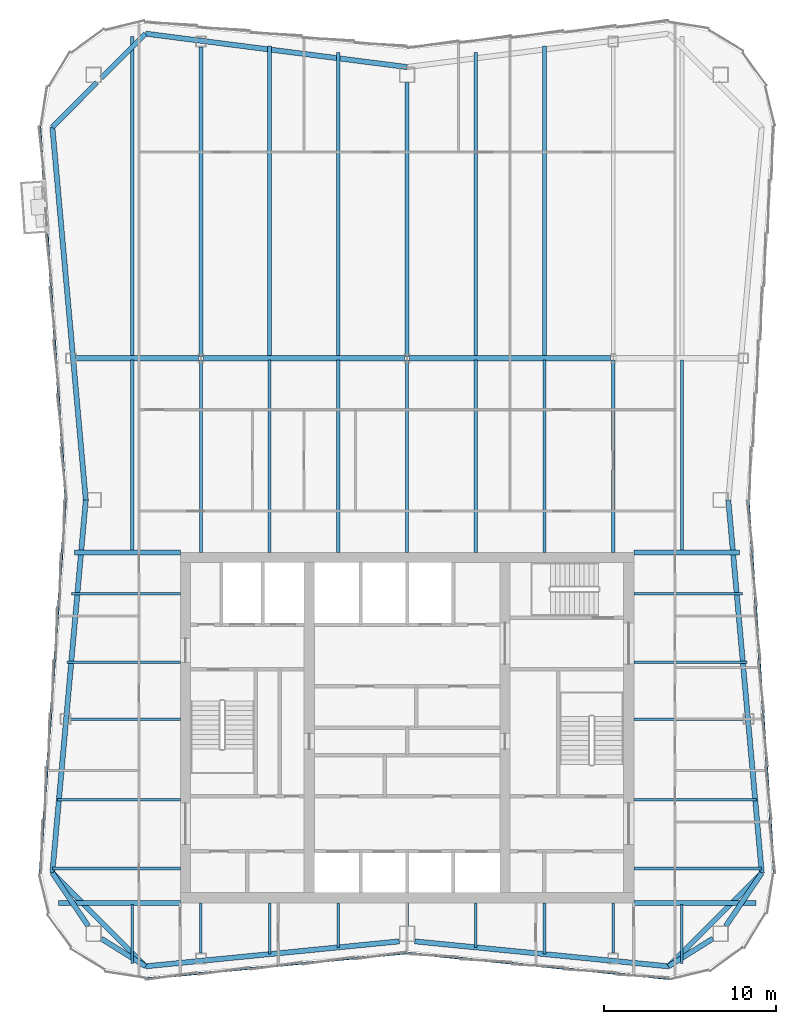
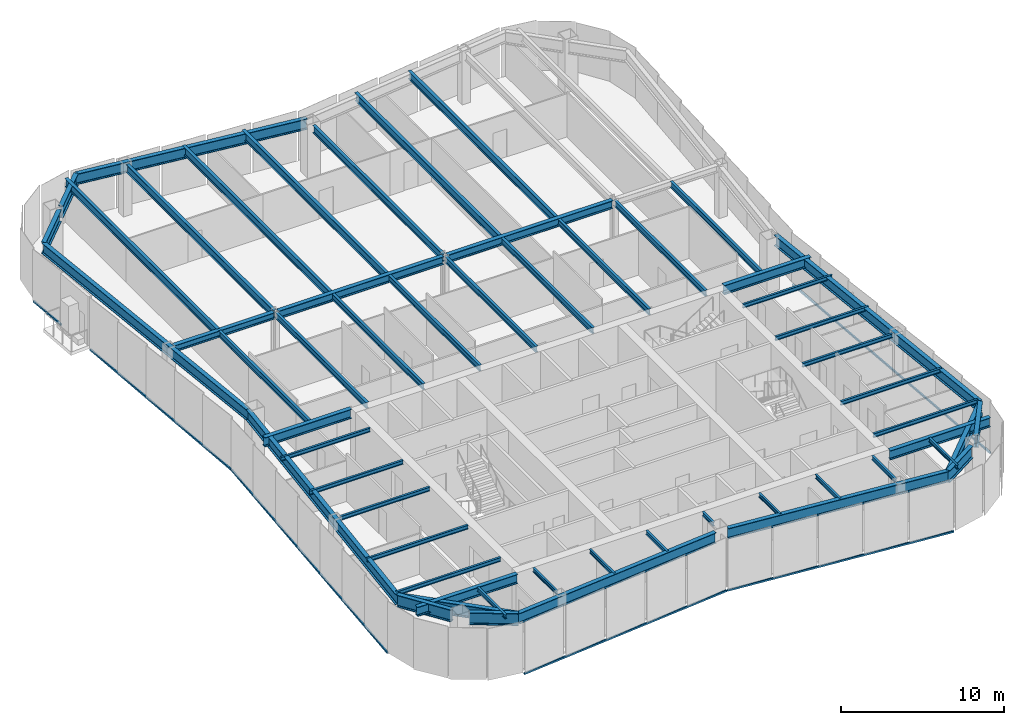
# One storey, part 3 of 11: 56 beams, 6 members, 3 elements without a shape of their own.
"""IFC4 building model written with IfcOpenShell, lengths in metres."""

import ifcopenshell
import ifcopenshell.guid

model = None  # the IFC model being written
_history = None  # IfcOwnerHistory: only IFC2X3 demands one
_inside = {}  # id of a spatial element -> (the spatial element, [elements in it])
_under = {}  # id of a project, library or spatial element -> (it, [spatial elements below it])
_declared = {}  # id of a project -> (the project, [libraries it declares])
_typed = {}  # id of a type object -> (the type object, [elements of that type])
_made_of = {}  # id of a material, layer set ... -> (it, [elements and type objects made of it])


def new_model(schema):
    """Start an empty IFC model of exactly this schema.

    Asked for "IFC4X3", IfcOpenShell would pick the latest addendum, in which some entities
    have other attributes; the version numbers below select the first issue.
    IFC2X3 requires an IfcOwnerHistory on every rooted entity: one is made here for all.
    """
    global model, _history
    if schema == "IFC4X3":
        model = ifcopenshell.file(schema_version=(4, 3, 0, 0))
    else:
        model = ifcopenshell.file(schema=schema)
    _inside.clear()
    _under.clear()
    _declared.clear()
    _typed.clear()
    _made_of.clear()
    _history = None
    if model.schema == "IFC2X3":
        org = make("IfcOrganization", Name="unknown")
        user = make(
            "IfcPersonAndOrganization",
            ThePerson=make("IfcPerson", FamilyName="unknown"),
            TheOrganization=org,
        )
        app = make(
            "IfcApplication",
            ApplicationDeveloper=org,
            Version="unknown",
            ApplicationFullName="unknown",
            ApplicationIdentifier="unknown",
        )
        _history = make(
            "IfcOwnerHistory",
            OwningUser=user,
            OwningApplication=app,
            ChangeAction="ADDED",
            CreationDate=0,
        )
    return model


def make(cls, **values):
    """One entity of the class cls with the attributes given. An attribute that is None is left unset."""
    return model.create_entity(
        cls, **{name: value for name, value in values.items() if value is not None}
    )


def rooted(cls, **values):
    """An entity with a GlobalId (a new one), such as an element, a storey or a relation."""
    return make(cls, GlobalId=ifcopenshell.guid.new(), OwnerHistory=_history, **values)


def si_unit(unit_type, name, prefix=None):
    """IfcSIUnit, for example si_unit("LENGTHUNIT", "METRE", prefix="MILLI")."""
    return make("IfcSIUnit", UnitType=unit_type, Prefix=prefix, Name=name)


def assignment(units):
    """IfcUnitAssignment: the units of a project."""
    return None if units is None else make("IfcUnitAssignment", Units=units)


def point(xyz):
    """IfcCartesianPoint."""
    return None if xyz is None else make("IfcCartesianPoint", Coordinates=xyz)


def direction(xyz):
    """IfcDirection."""
    return None if xyz is None else make("IfcDirection", DirectionRatios=xyz)


def frame(location, z_axis=None, x_axis=None):
    """IfcAxis2Placement3D, a coordinate frame: its origin and axes. An axis left out is left unset."""
    return make(
        "IfcAxis2Placement3D",
        Location=point(location),
        Axis=direction(z_axis),
        RefDirection=direction(x_axis),
    )


def frame_2d(location, x_axis=None):
    """IfcAxis2Placement2D, a coordinate frame in the plane: its origin and x axis."""
    return make(
        "IfcAxis2Placement2D", Location=point(location), RefDirection=direction(x_axis)
    )


def origin():
    """The frame at (0, 0, 0) with its axes left unset."""
    return frame((0.0, 0.0, 0.0))


def origin_2d():
    """The frame at (0, 0) in the plane with its x axis left unset."""
    return frame_2d((0.0, 0.0))


def place(relative_to, where):
    """IfcLocalPlacement: puts the frame where relative to a parent placement (None: the world)."""
    return make(
        "IfcLocalPlacement", PlacementRelTo=relative_to, RelativePlacement=where
    )


def context(
    kind, dimensions, precision=None, world=None, true_north=None, identifier=None
):
    """IfcGeometricRepresentationContext, for example the 3D "Model" context."""
    return make(
        "IfcGeometricRepresentationContext",
        ContextIdentifier=identifier,
        ContextType=kind,
        CoordinateSpaceDimension=dimensions,
        Precision=precision,
        WorldCoordinateSystem=world,
        TrueNorth=true_north,
    )


def subcontext(parent, identifier, kind, view, scale=None):
    """IfcGeometricRepresentationSubContext, for example "Body" below "Model"."""
    return make(
        "IfcGeometricRepresentationSubContext",
        ContextIdentifier=identifier,
        ContextType=kind,
        ParentContext=parent,
        TargetScale=scale,
        TargetView=view,
    )


def project(units=None, contexts=None):
    """IfcProject with its units and contexts."""
    return rooted(
        "IfcProject",
        Name="project",
        RepresentationContexts=contexts,
        UnitsInContext=assignment(units),
    )


def spatial(cls, under=None, at=None, **own):
    """A site, building, storey or space (cls), placed at a placement, below another one or the project."""
    s = rooted(cls, ObjectPlacement=at, **own)
    if under is not None:
        _under.setdefault(under.id(), (under, []))[1].append(s)
    return s


def profile(cls, at=None, kind="AREA", **sizes):
    """A parametric profile (cls). Its sizes go by their IFC names, for example OverallWidth=200.0."""
    return make(cls, ProfileType=kind, Position=at, **sizes)


def rectangle(**sizes):
    """IfcRectangleProfileDef."""
    return profile("IfcRectangleProfileDef", **sizes)


def i_section(**sizes):
    """IfcIShapeProfileDef."""
    return profile("IfcIShapeProfileDef", **sizes)


def extrude(swept, where, along, depth):
    """IfcExtrudedAreaSolid: the profile swept, set in the frame where, extruded along a direction by depth."""
    return make(
        "IfcExtrudedAreaSolid",
        SweptArea=swept,
        Position=where,
        ExtrudedDirection=direction(along),
        Depth=depth,
    )


def shape(context_of_items, identifier, shape_type, items):
    """IfcShapeRepresentation: the items that make up one representation, for example the "Body"."""
    return make(
        "IfcShapeRepresentation",
        ContextOfItems=context_of_items,
        RepresentationIdentifier=identifier,
        RepresentationType=shape_type,
        Items=items,
    )


def material(Name=None, Category=None):
    """IfcMaterial."""
    return make("IfcMaterial", Name=Name, Category=Category)


def material_profile(
    of_material, cross_section, Name=None, Category=None, Priority=None
):
    """IfcMaterialProfile: a cross section and its material."""
    return make(
        "IfcMaterialProfile",
        Name=Name,
        Material=of_material,
        Profile=cross_section,
        Priority=Priority,
        Category=Category,
    )


def profile_set(profiles, Name=None, composite=None):
    """IfcMaterialProfileSet."""
    return make(
        "IfcMaterialProfileSet",
        Name=Name,
        MaterialProfiles=profiles,
        CompositeProfile=composite,
    )


def made_of(thing, what):
    """Note that an element or type object is made of a material, layer set ...; save() writes the relation."""
    if what is not None:
        _made_of.setdefault(what.id(), (what, []))[1].append(thing)
    return thing


def type_object(cls, material=None, **own):
    """A type object (cls), such as IfcWallType, which elements share."""
    return made_of(rooted(cls, **own), material)


def element(
    cls,
    number,
    at=None,
    inside=None,
    cuts=None,
    type_object=None,
    material=None,
    context=None,
    identifier="Body",
    shape_type=None,
    held_by="IfcProductDefinitionShape",
    body=None,
    shapes=None,
    **own,
):
    """One element of the class cls, such as IfcWall. Its Tag is "e" and its number.

    at: its placement. inside: the storey or other place that contains it. cuts: it is an
    opening in that element (IfcRelVoidsElement). A single representation is given by context,
    identifier, shape_type and body (its items); several are given by shapes. held_by: the class
    of the entity that holds the representations. save() writes the other relations.
    """
    e = rooted(cls, Tag="e%d" % number, ObjectPlacement=at, **own)
    if body is not None:
        shapes = [shape(context, identifier, shape_type, body)]
    if shapes is not None:
        e.Representation = make(held_by, Representations=shapes)
    if inside is not None:
        _inside.setdefault(inside.id(), (inside, []))[1].append(e)
    if cuts is not None:
        rooted(
            "IfcRelVoidsElement", RelatingBuildingElement=cuts, RelatedOpeningElement=e
        )
    if type_object is not None:
        _typed.setdefault(type_object.id(), (type_object, []))[1].append(e)
    return made_of(e, material)


def aggregate(whole, parts):
    """IfcRelAggregates: a whole, such as a stair, and the parts it consists of."""
    return rooted("IfcRelAggregates", RelatingObject=whole, RelatedObjects=parts)


def save(model, path):
    """Write the relations noted so far, then the file.

    IfcRelAggregates (storeys below a building ...), IfcRelContainedInSpatialStructure (elements
    in a storey), IfcRelDefinesByType, IfcRelAssociatesMaterial and IfcRelDeclares: one each for
    every whole, place, type object, material and project.
    """
    for whole, parts in _under.values():
        aggregate(whole, parts)
    for where, things in _inside.values():
        rooted(
            "IfcRelContainedInSpatialStructure",
            RelatedElements=things,
            RelatingStructure=where,
        )
    for kind, things in _typed.values():
        rooted("IfcRelDefinesByType", RelatedObjects=things, RelatingType=kind)
    for what, things in _made_of.values():
        rooted("IfcRelAssociatesMaterial", RelatedObjects=things, RelatingMaterial=what)
    for by, libraries in _declared.values():
        rooted("IfcRelDeclares", RelatingContext=by, RelatedDefinitions=libraries)
    model.write(path)


model = new_model("IFC4")

# Units and contexts
model_context = context("Model", 3, precision=1e-05, world=origin(), true_north=direction((0.0, 1.0)))
body_context = subcontext(model_context, "Body", "Model", "MODEL_VIEW")
ifc_project = project(units=[si_unit("LENGTHUNIT", "METRE"), si_unit("AREAUNIT", "SQUARE_METRE"), si_unit("VOLUMEUNIT", "CUBIC_METRE"), si_unit("PLANEANGLEUNIT", "RADIAN"), si_unit("MASSUNIT", "GRAM", prefix="KILO")], contexts=[model_context])

# Site, building, storey
site_placement = place(None, origin())
site = spatial("IfcSite", under=ifc_project, at=site_placement, CompositionType="ELEMENT")
building_placement = place(site_placement, origin())
building = spatial("IfcBuilding", under=site, at=building_placement, Name="Verdant Reach Tower", CompositionType="ELEMENT")
storey_placement = place(building_placement, frame((0.0, 0.0, 314.0)))
storey = spatial("IfcBuildingStorey", under=building, at=storey_placement, Name="L72", CompositionType="ELEMENT", Elevation=314.0)

# Curtain wall, member
ifc_material_1 = material(Name="Anodised aluminium", Category="aluminium")
curtain_wall_type = type_object("IfcCurtainWallType", Name="EN-CW SYSTEM Z5", PredefinedType="NOTDEFINED", material=ifc_material_1)
curtain_wall_1_placement = place(storey_placement, origin())
curtain_wall_1 = element("IfcCurtainWall", 1, at=curtain_wall_1_placement, inside=storey, type_object=curtain_wall_type, Name="Curtain wall east, L72", PredefinedType="NOTDEFINED")
ifc_material_profile_1 = material_profile(ifc_material_1, rectangle(XDim=0.10009765625, YDim=0.1298828125, at=origin_2d()), Name="Transom 130x100")
ifc_profile_set_1 = profile_set([ifc_material_profile_1], Name="Anodised aluminium")
member_type = type_object("IfcMemberType", Name="EN-TRANSOM Z5", PredefinedType="USERDEFINED", material=ifc_profile_set_1)
member_1_placement = place(storey_placement, frame((21.3623046875, 19.527587890625, -0.284912109375), z_axis=(-0.068764705107, 0.997632906099, 0.0), x_axis=(-0.997632906099, -0.068764705107, 0.0)))
member_1 = element("IfcMember", 2, at=member_1_placement, type_object=member_type, Name="Transom east face part 1 1.1, L72", ObjectType="TRANSOM", PredefinedType="USERDEFINED", context=body_context, shape_type="SweptSolid", body=[
    extrude(rectangle(XDim=0.10009765625, YDim=0.1298828125, at=origin_2d()), origin(), (0.0, 0.0, 1.0), 21.739013671875),
])
aggregate(curtain_wall_1, [member_1])

# Curtain wall, members
curtain_wall_2_placement = place(storey_placement, origin())
curtain_wall_2 = element("IfcCurtainWall", 3, at=curtain_wall_2_placement, inside=storey, type_object=curtain_wall_type, Name="Curtain wall west, L72", PredefinedType="NOTDEFINED")
member_2_placement = place(storey_placement, frame((-21.3623046875, 62.972412109375, -0.284912109375), z_axis=(0.068462518223, -0.997653689212, 0.0), x_axis=(0.997653689212, 0.068462518223, 0.0)))
member_2 = element("IfcMember", 4, at=member_2_placement, type_object=member_type, Name="Transom west face part 1 1.1, L72", ObjectType="TRANSOM", PredefinedType="USERDEFINED", context=body_context, shape_type="SweptSolid", body=[
    extrude(rectangle(XDim=0.10009765625, YDim=0.1298828125, at=origin_2d()), origin(), (0.0, 0.0, 1.0), 3.0595703125),
])
member_3_placement = place(storey_placement, frame((-20.933837890625, 56.742919921875, -0.284912109375), z_axis=(0.068823721613, -0.997628836463, 0.0), x_axis=(0.997628836463, 0.068823721613, 0.0)))
member_3 = element("IfcMember", 5, at=member_3_placement, type_object=member_type, Name="Transom west face part 1 2.1, L72", ObjectType="TRANSOM", PredefinedType="USERDEFINED", context=body_context, shape_type="SweptSolid", body=[
    extrude(rectangle(XDim=0.10009765625, YDim=0.1298828125, at=origin_2d()), origin(), (0.0, 0.0, 1.0), 15.49462890625),
])
member_4_placement = place(storey_placement, frame((-19.867431640625, 41.215087890625, -0.284912109375), z_axis=(-0.068764705107, -0.997632906099, 0.0), x_axis=(0.997632906099, -0.068764705107, 0.0)))
member_4 = element("IfcMember", 6, at=member_4_placement, type_object=member_type, Name="Transom west face part 2 1.1, L72", ObjectType="TRANSOM", PredefinedType="USERDEFINED", context=body_context, shape_type="SweptSolid", body=[
    extrude(rectangle(XDim=0.10009765625, YDim=0.1298828125, at=origin_2d()), origin(), (0.0, 0.0, 1.0), 21.739013671875),
])
aggregate(curtain_wall_2, [member_2, member_3, member_4])

curtain_wall_3_placement = place(storey_placement, origin())
curtain_wall_3 = element("IfcCurtainWall", 7, at=curtain_wall_3_placement, inside=storey, type_object=curtain_wall_type, Name="Curtain wall south, L72", PredefinedType="NOTDEFINED")
member_5_placement = place(storey_placement, frame((-15.220703125, 13.388671875, -0.284912109375), z_axis=(0.99520229006, 0.097838652171, 0.0), x_axis=(-0.097838652171, 0.99520229006, 0.0)))
member_5 = element("IfcMember", 8, at=member_5_placement, type_object=member_type, Name="Transom south face part 1 1.1, L72", ObjectType="TRANSOM", PredefinedType="USERDEFINED", context=body_context, shape_type="SweptSolid", body=[
    extrude(rectangle(XDim=0.10009765625, YDim=0.1298828125, at=origin_2d()), origin(), (0.0, 0.0, 1.0), 15.259033203125),
])
member_6_placement = place(storey_placement, frame((0.034912109375, 14.881591796875, -0.284912109375), z_axis=(0.99520229006, -0.097838652171, 0.0), x_axis=(0.097838652171, 0.99520229006, 0.0)))
member_6 = element("IfcMember", 9, at=member_6_placement, type_object=member_type, Name="Transom south face part 2 1.1, L72", ObjectType="TRANSOM", PredefinedType="USERDEFINED", context=body_context, shape_type="SweptSolid", body=[
    extrude(rectangle(XDim=0.10009765625, YDim=0.1298828125, at=origin_2d()), origin(), (0.0, 0.0, 1.0), 15.259033203125),
])
aggregate(curtain_wall_3, [member_5, member_6])

# Beams
ifc_material_2 = material(Name="Steel S355", Category="steel")
ifc_material_profile_2 = material_profile(ifc_material_2, i_section(OverallWidth=0.300048828125, OverallDepth=0.489990234375, WebThickness=0.011962890625, FlangeThickness=0.02294921875, FilletRadius=0.027099609375, at=origin_2d()), Name="HEA 500")
ifc_profile_set_2 = profile_set([ifc_material_profile_2], Name="Steel S355")
beam_type_1 = type_object("IfcBeamType", Name="ST-BEAM-HEA500", PredefinedType="BEAM", material=ifc_profile_set_2)
beam_1_placement = place(storey_placement, frame((-19.26904296875, 49.5, 3.625), z_axis=(1.0, 0.0, 0.0), x_axis=(0.0, 1.0, 0.0)))
element("IfcBeam", 10, at=beam_1_placement, inside=storey, type_object=beam_type_1, Name="Row girder, L72", PredefinedType="BEAM", context=body_context, shape_type="SweptSolid", body=[
    extrude(i_section(OverallWidth=0.300048828125, OverallDepth=0.489990234375, WebThickness=0.011962890625, FlangeThickness=0.02294921875, FilletRadius=0.027099609375, at=origin_2d()), origin(), (0.0, 0.0, 1.0), 7.115966796875),
])
ifc_material_profile_3 = material_profile(ifc_material_2, i_section(OverallWidth=0.300048828125, OverallDepth=0.60009765625, WebThickness=0.015380859375, FlangeThickness=0.030029296875, FilletRadius=0.027099609375, at=origin_2d()), Name="HEB 600")
ifc_profile_set_3 = profile_set([ifc_material_profile_3], Name="Steel S355")
beam_type_2 = type_object("IfcBeamType", Name="ST-BEAM-HEB600", PredefinedType="BEAM", material=ifc_profile_set_3)
for number, where, z_axis, x_axis, name in (
    (11, (-11.846923828125, 49.5, 3.570068359375), (1.0, 0.0, 0.0), (0.0, 1.0, 0.0), "Row girder, L72"),
    (12, (0.153076171875, 49.5, 3.570068359375), (1.0, 0.0, 0.0), (0.0, 1.0, 0.0), "Row girder, L72"),
):
    element("IfcBeam", number, at=place(storey_placement, frame(where, z_axis=z_axis, x_axis=x_axis)), inside=storey, type_object=beam_type_2, Name=name, PredefinedType="BEAM", context=body_context, shape_type="SweptSolid", body=[
        extrude(i_section(OverallWidth=0.300048828125, OverallDepth=0.60009765625, WebThickness=0.015380859375, FlangeThickness=0.030029296875, FilletRadius=0.027099609375, at=origin_2d()), origin(), (0.0, 0.0, 1.0), 11.69384765625),
    ])
ifc_material_profile_4 = material_profile(ifc_material_2, i_section(OverallWidth=0.300048828125, OverallDepth=0.699951171875, WebThickness=0.01708984375, FlangeThickness=0.031982421875, FilletRadius=0.027099609375, at=origin_2d()), Name="HEB 700")
ifc_profile_set_4 = profile_set([ifc_material_profile_4], Name="Steel S355")
beam_type_3 = type_object("IfcBeamType", Name="ST-BEAM-HEB700", PredefinedType="BEAM", material=ifc_profile_set_4)
for number, where, z_axis, x_axis, name in (
    (13, (13.199951171875, 38.199951171875, 3.52001953125), (1.0, 0.0, 0.0), (0.0, 1.0, 0.0), "Trimmer beam, L72"),
    (14, (-13.199951171875, 38.199951171875, 3.52001953125), (-1.0, 0.0, 0.0), (0.0, -1.0, 0.0), "Trimmer beam, L72"),
):
    element("IfcBeam", number, at=place(storey_placement, frame(where, z_axis=z_axis, x_axis=x_axis)), inside=storey, type_object=beam_type_3, Name=name, PredefinedType="BEAM", context=body_context, shape_type="SweptSolid", body=[
        extrude(i_section(OverallWidth=0.300048828125, OverallDepth=0.699951171875, WebThickness=0.01708984375, FlangeThickness=0.031982421875, FilletRadius=0.027099609375, at=origin_2d()), origin(), (0.0, 0.0, 1.0), 6.158935546875),
    ])
for number, where, z_axis, x_axis, name in (
    (15, (13.199951171875, 17.800048828125, 3.52001953125), (1.0, 0.0, 0.0), (0.0, 1.0, 0.0), "Trimmer beam, L72"),
    (16, (-13.199951171875, 17.800048828125, 3.52001953125), (-1.0, 0.0, 0.0), (0.0, -1.0, 0.0), "Trimmer beam, L72"),
):
    element("IfcBeam", number, at=place(storey_placement, frame(where, z_axis=z_axis, x_axis=x_axis)), inside=storey, type_object=beam_type_3, Name=name, PredefinedType="BEAM", context=body_context, shape_type="SweptSolid", body=[
        extrude(i_section(OverallWidth=0.300048828125, OverallDepth=0.699951171875, WebThickness=0.01708984375, FlangeThickness=0.031982421875, FilletRadius=0.027099609375, at=origin_2d()), origin(), (0.0, 0.0, 1.0), 7.10009765625),
    ])
ifc_material_profile_5 = material_profile(ifc_material_2, i_section(OverallWidth=0.302001953125, OverallDepth=0.909912109375, WebThickness=0.02099609375, FlangeThickness=0.0400390625, FilletRadius=0.030029296875, at=origin_2d()), Name="HEM 900")
ifc_profile_set_5 = profile_set([ifc_material_profile_5], Name="Steel S355")
beam_type_4 = type_object("IfcBeamType", Name="ST-BEAM-HEM900", PredefinedType="BEAM", material=ifc_profile_set_5)
beam_2_placement = place(storey_placement, frame((17.800048828125, 15.71875, 3.4150390625), z_axis=(-0.847903624467, -0.530150397166, 0.0), x_axis=(0.530150397166, -0.847903624467, 0.0)))
element("IfcBeam", 17, at=beam_2_placement, inside=storey, type_object=beam_type_4, Name="Column stub beam, L72", PredefinedType="BEAM", context=body_context, shape_type="SweptSolid", body=[
    extrude(i_section(OverallWidth=0.302001953125, OverallDepth=0.909912109375, WebThickness=0.02099609375, FlangeThickness=0.0400390625, FilletRadius=0.030029296875, at=origin_2d()), origin(), (0.0, 0.0, 1.0), 3.042724609375),
])
beam_3_placement = place(storey_placement, frame((18.5546875, 16.449951171875, 3.4150390625), z_axis=(0.560667226688, 0.828041219335, 0.0), x_axis=(-0.828041219335, 0.560667226688, 0.0)))
element("IfcBeam", 18, at=beam_3_placement, inside=storey, type_object=beam_type_4, Name="Column stub beam, L72", PredefinedType="BEAM", context=body_context, shape_type="SweptSolid", body=[
    extrude(i_section(OverallWidth=0.302001953125, OverallDepth=0.909912109375, WebThickness=0.02099609375, FlangeThickness=0.0400390625, FilletRadius=0.030029296875, at=origin_2d()), origin(), (0.0, 0.0, 1.0), 3.72998046875),
])
beam_4_placement = place(storey_placement, frame((-17.800048828125, 15.71875, 3.4150390625), z_axis=(0.847903624467, -0.530150397166, 0.0), x_axis=(0.530150397166, 0.847903624467, 0.0)))
element("IfcBeam", 19, at=beam_4_placement, inside=storey, type_object=beam_type_4, Name="Column stub beam, L72", PredefinedType="BEAM", context=body_context, shape_type="SweptSolid", body=[
    extrude(i_section(OverallWidth=0.302001953125, OverallDepth=0.909912109375, WebThickness=0.02099609375, FlangeThickness=0.0400390625, FilletRadius=0.030029296875, at=origin_2d()), origin(), (0.0, 0.0, 1.0), 3.042724609375),
])
beam_5_placement = place(storey_placement, frame((-18.5546875, 16.449951171875, 3.4150390625), z_axis=(-0.560667226688, 0.828041219335, 0.0), x_axis=(-0.828041219335, -0.560667226688, 0.0)))
element("IfcBeam", 20, at=beam_5_placement, inside=storey, type_object=beam_type_4, Name="Column stub beam, L72", PredefinedType="BEAM", context=body_context, shape_type="SweptSolid", body=[
    extrude(i_section(OverallWidth=0.302001953125, OverallDepth=0.909912109375, WebThickness=0.02099609375, FlangeThickness=0.0400390625, FilletRadius=0.030029296875, at=origin_2d()), origin(), (0.0, 0.0, 1.0), 3.72998046875),
])
ifc_material_profile_6 = material_profile(ifc_material_2, i_section(OverallWidth=0.14990234375, OverallDepth=0.300048828125, WebThickness=0.007080078125, FlangeThickness=0.0107421875, FilletRadius=0.014892578125, at=origin_2d()), Name="IPE 300")
ifc_profile_set_6 = profile_set([ifc_material_profile_6], Name="Steel S355")
beam_type_5 = type_object("IfcBeamType", Name="ST-JOIST-IPE300", PredefinedType="JOIST", material=ifc_profile_set_6)
beam_6_placement = place(storey_placement, frame((-16.0, 17.699951171875, 3.719970703125), z_axis=(0.0, -1.0, 0.0), x_axis=(1.0, 0.0, 0.0)))
element("IfcBeam", 21, at=beam_6_placement, inside=storey, type_object=beam_type_5, Name="Floor joist, L72", PredefinedType="JOIST", context=body_context, shape_type="SweptSolid", body=[
    extrude(i_section(OverallWidth=0.14990234375, OverallDepth=0.300048828125, WebThickness=0.007080078125, FlangeThickness=0.0107421875, FilletRadius=0.014892578125, at=origin_2d()), origin(), (0.0, 0.0, 1.0), 3.43896484375),
])
beam_7_placement = place(storey_placement, frame((-12.0, 17.800048828125, 3.719970703125), z_axis=(0.0, -1.0, 0.0), x_axis=(1.0, 0.0, 0.0)))
element("IfcBeam", 22, at=beam_7_placement, inside=storey, type_object=beam_type_5, Name="Floor joist, L72", PredefinedType="JOIST", context=body_context, shape_type="SweptSolid", body=[
    extrude(i_section(OverallWidth=0.14990234375, OverallDepth=0.300048828125, WebThickness=0.007080078125, FlangeThickness=0.0107421875, FilletRadius=0.014892578125, at=origin_2d()), origin(), (0.0, 0.0, 1.0), 2.930419921875),
])
beam_8_placement = place(storey_placement, frame((-8.0, 17.800048828125, 3.719970703125), z_axis=(0.0, -1.0, 0.0), x_axis=(1.0, 0.0, 0.0)))
element("IfcBeam", 23, at=beam_8_placement, inside=storey, type_object=beam_type_5, Name="Floor joist, L72", PredefinedType="JOIST", context=body_context, shape_type="SweptSolid", body=[
    extrude(i_section(OverallWidth=0.14990234375, OverallDepth=0.300048828125, WebThickness=0.007080078125, FlangeThickness=0.0107421875, FilletRadius=0.014892578125, at=origin_2d()), origin(), (0.0, 0.0, 1.0), 2.984130859375),
])
beam_9_placement = place(storey_placement, frame((-4.0, 17.800048828125, 3.719970703125), z_axis=(0.0, -1.0, 0.0), x_axis=(1.0, 0.0, 0.0)))
element("IfcBeam", 24, at=beam_9_placement, inside=storey, type_object=beam_type_5, Name="Floor joist, L72", PredefinedType="JOIST", context=body_context, shape_type="SweptSolid", body=[
    extrude(i_section(OverallWidth=0.14990234375, OverallDepth=0.300048828125, WebThickness=0.007080078125, FlangeThickness=0.0107421875, FilletRadius=0.014892578125, at=origin_2d()), origin(), (0.0, 0.0, 1.0), 2.590576171875),
])
beam_10_placement = place(storey_placement, frame((0.0, 17.800048828125, 3.719970703125), z_axis=(0.0, -1.0, 0.0), x_axis=(1.0, 0.0, 0.0)))
element("IfcBeam", 25, at=beam_10_placement, inside=storey, type_object=beam_type_5, Name="Floor joist, L72", PredefinedType="JOIST", context=body_context, shape_type="SweptSolid", body=[
    extrude(i_section(OverallWidth=0.14990234375, OverallDepth=0.300048828125, WebThickness=0.007080078125, FlangeThickness=0.0107421875, FilletRadius=0.014892578125, at=origin_2d()), origin(), (0.0, 0.0, 1.0), 1.35009765625),
])
beam_11_placement = place(storey_placement, frame((4.0, 17.800048828125, 3.719970703125), z_axis=(0.0, -1.0, 0.0), x_axis=(1.0, 0.0, 0.0)))
element("IfcBeam", 26, at=beam_11_placement, inside=storey, type_object=beam_type_5, Name="Floor joist, L72", PredefinedType="JOIST", context=body_context, shape_type="SweptSolid", body=[
    extrude(i_section(OverallWidth=0.14990234375, OverallDepth=0.300048828125, WebThickness=0.007080078125, FlangeThickness=0.0107421875, FilletRadius=0.014892578125, at=origin_2d()), origin(), (0.0, 0.0, 1.0), 2.590576171875),
])
beam_12_placement = place(storey_placement, frame((8.0, 17.800048828125, 3.719970703125), z_axis=(0.0, -1.0, 0.0), x_axis=(1.0, 0.0, 0.0)))
element("IfcBeam", 27, at=beam_12_placement, inside=storey, type_object=beam_type_5, Name="Floor joist, L72", PredefinedType="JOIST", context=body_context, shape_type="SweptSolid", body=[
    extrude(i_section(OverallWidth=0.14990234375, OverallDepth=0.300048828125, WebThickness=0.007080078125, FlangeThickness=0.0107421875, FilletRadius=0.014892578125, at=origin_2d()), origin(), (0.0, 0.0, 1.0), 2.984130859375),
])
beam_13_placement = place(storey_placement, frame((12.0, 17.800048828125, 3.719970703125), z_axis=(0.0, -1.0, 0.0), x_axis=(1.0, 0.0, 0.0)))
element("IfcBeam", 28, at=beam_13_placement, inside=storey, type_object=beam_type_5, Name="Floor joist, L72", PredefinedType="JOIST", context=body_context, shape_type="SweptSolid", body=[
    extrude(i_section(OverallWidth=0.14990234375, OverallDepth=0.300048828125, WebThickness=0.007080078125, FlangeThickness=0.0107421875, FilletRadius=0.014892578125, at=origin_2d()), origin(), (0.0, 0.0, 1.0), 2.930419921875),
])
beam_14_placement = place(storey_placement, frame((16.0, 17.699951171875, 3.719970703125), z_axis=(0.0, -1.0, 0.0), x_axis=(1.0, 0.0, 0.0)))
element("IfcBeam", 29, at=beam_14_placement, inside=storey, type_object=beam_type_5, Name="Floor joist, L72", PredefinedType="JOIST", context=body_context, shape_type="SweptSolid", body=[
    extrude(i_section(OverallWidth=0.14990234375, OverallDepth=0.300048828125, WebThickness=0.007080078125, FlangeThickness=0.0107421875, FilletRadius=0.014892578125, at=origin_2d()), origin(), (0.0, 0.0, 1.0), 3.43896484375),
])
for number, where, z_axis, x_axis, name in (
    (30, (13.199951171875, 19.800048828125, 3.719970703125), (1.0, 0.0, 0.0), (0.0, 1.0, 0.0), "Floor joist, L72"),
    (31, (-13.199951171875, 19.800048828125, 3.719970703125), (-1.0, 0.0, 0.0), (0.0, -1.0, 0.0), "Floor joist, L72"),
):
    element("IfcBeam", number, at=place(storey_placement, frame(where, z_axis=z_axis, x_axis=x_axis)), inside=storey, type_object=beam_type_5, Name=name, PredefinedType="JOIST", context=body_context, shape_type="SweptSolid", body=[
        extrude(i_section(OverallWidth=0.14990234375, OverallDepth=0.300048828125, WebThickness=0.007080078125, FlangeThickness=0.0107421875, FilletRadius=0.014892578125, at=origin_2d()), origin(), (0.0, 0.0, 1.0), 7.427978515625),
    ])
for number, where, z_axis, x_axis, name in (
    (32, (13.199951171875, 23.800048828125, 3.719970703125), (1.0, 0.0, 0.0), (0.0, 1.0, 0.0), "Floor joist, L72"),
    (33, (-13.199951171875, 23.800048828125, 3.719970703125), (-1.0, 0.0, 0.0), (0.0, -1.0, 0.0), "Floor joist, L72"),
):
    element("IfcBeam", number, at=place(storey_placement, frame(where, z_axis=z_axis, x_axis=x_axis)), inside=storey, type_object=beam_type_5, Name=name, PredefinedType="JOIST", context=body_context, shape_type="SweptSolid", body=[
        extrude(i_section(OverallWidth=0.14990234375, OverallDepth=0.300048828125, WebThickness=0.007080078125, FlangeThickness=0.0107421875, FilletRadius=0.014892578125, at=origin_2d()), origin(), (0.0, 0.0, 1.0), 7.152099609375),
    ])
for number, where, z_axis, x_axis, name in (
    (34, (13.199951171875, 28.5, 3.719970703125), (1.0, 0.0, 0.0), (0.0, 1.0, 0.0), "Floor joist, L72"),
    (35, (-13.199951171875, 28.5, 3.719970703125), (-1.0, 0.0, 0.0), (0.0, -1.0, 0.0), "Floor joist, L72"),
):
    element("IfcBeam", number, at=place(storey_placement, frame(where, z_axis=z_axis, x_axis=x_axis)), inside=storey, type_object=beam_type_5, Name=name, PredefinedType="JOIST", context=body_context, shape_type="SweptSolid", body=[
        extrude(i_section(OverallWidth=0.14990234375, OverallDepth=0.300048828125, WebThickness=0.007080078125, FlangeThickness=0.0107421875, FilletRadius=0.014892578125, at=origin_2d()), origin(), (0.0, 0.0, 1.0), 6.37939453125),
    ])
for number, where, z_axis, x_axis, name in (
    (36, (13.199951171875, 31.800048828125, 3.719970703125), (1.0, 0.0, 0.0), (0.0, 1.0, 0.0), "Floor joist, L72"),
    (37, (-13.199951171875, 31.800048828125, 3.719970703125), (-1.0, 0.0, 0.0), (0.0, -1.0, 0.0), "Floor joist, L72"),
):
    element("IfcBeam", number, at=place(storey_placement, frame(where, z_axis=z_axis, x_axis=x_axis)), inside=storey, type_object=beam_type_5, Name=name, PredefinedType="JOIST", context=body_context, shape_type="SweptSolid", body=[
        extrude(i_section(OverallWidth=0.14990234375, OverallDepth=0.300048828125, WebThickness=0.007080078125, FlangeThickness=0.0107421875, FilletRadius=0.014892578125, at=origin_2d()), origin(), (0.0, 0.0, 1.0), 6.600341796875),
    ])
for number, where, z_axis, x_axis, name in (
    (38, (13.199951171875, 35.800048828125, 3.719970703125), (1.0, 0.0, 0.0), (0.0, 1.0, 0.0), "Floor joist, L72"),
    (39, (-13.199951171875, 35.800048828125, 3.719970703125), (-1.0, 0.0, 0.0), (0.0, -1.0, 0.0), "Floor joist, L72"),
):
    element("IfcBeam", number, at=place(storey_placement, frame(where, z_axis=z_axis, x_axis=x_axis)), inside=storey, type_object=beam_type_5, Name=name, PredefinedType="JOIST", context=body_context, shape_type="SweptSolid", body=[
        extrude(i_section(OverallWidth=0.14990234375, OverallDepth=0.300048828125, WebThickness=0.007080078125, FlangeThickness=0.0107421875, FilletRadius=0.014892578125, at=origin_2d()), origin(), (0.0, 0.0, 1.0), 6.324462890625),
    ])
ifc_material_profile_7 = material_profile(ifc_material_2, i_section(OverallWidth=0.18994140625, OverallDepth=0.449951171875, WebThickness=0.009521484375, FlangeThickness=0.0146484375, FilletRadius=0.02099609375, at=origin_2d()), Name="IPE 450")
ifc_profile_set_7 = profile_set([ifc_material_profile_7], Name="Steel S355")
beam_type_6 = type_object("IfcBeamType", Name="ST-JOIST-IPE450", PredefinedType="JOIST", material=ifc_profile_set_7)
beam_15_placement = place(storey_placement, frame((-16.0, 38.300048828125, 3.64501953125), z_axis=(0.0, 1.0, 0.0), x_axis=(-1.0, 0.0, 0.0)))
element("IfcBeam", 40, at=beam_15_placement, inside=storey, type_object=beam_type_6, Name="Floor joist, L72", PredefinedType="JOIST", context=body_context, shape_type="SweptSolid", body=[
    extrude(i_section(OverallWidth=0.18994140625, OverallDepth=0.449951171875, WebThickness=0.009521484375, FlangeThickness=0.0146484375, FilletRadius=0.02099609375, at=origin_2d()), origin(), (0.0, 0.0, 1.0), 11.099853515625),
])
for number, where, z_axis, x_axis, name in (
    (41, (-12.0, 38.199951171875, 3.64501953125), (0.0, 1.0, 0.0), (-1.0, 0.0, 0.0), "Floor joist, L72"),
    (42, (-8.0, 38.199951171875, 3.64501953125), (0.0, 1.0, 0.0), (-1.0, 0.0, 0.0), "Floor joist, L72"),
    (43, (-4.0, 38.199951171875, 3.64501953125), (0.0, 1.0, 0.0), (-1.0, 0.0, 0.0), "Floor joist, L72"),
    (44, (0.0, 38.199951171875, 3.64501953125), (0.0, 1.0, 0.0), (-1.0, 0.0, 0.0), "Floor joist, L72"),
    (45, (4.0, 38.199951171875, 3.64501953125), (0.0, 1.0, 0.0), (-1.0, 0.0, 0.0), "Floor joist, L72"),
    (46, (8.0, 38.199951171875, 3.64501953125), (0.0, 1.0, 0.0), (-1.0, 0.0, 0.0), "Floor joist, L72"),
    (47, (12.0, 38.199951171875, 3.64501953125), (0.0, 1.0, 0.0), (-1.0, 0.0, 0.0), "Floor joist, L72"),
):
    element("IfcBeam", number, at=place(storey_placement, frame(where, z_axis=z_axis, x_axis=x_axis)), inside=storey, type_object=beam_type_6, Name=name, PredefinedType="JOIST", context=body_context, shape_type="SweptSolid", body=[
        extrude(i_section(OverallWidth=0.18994140625, OverallDepth=0.449951171875, WebThickness=0.009521484375, FlangeThickness=0.0146484375, FilletRadius=0.02099609375, at=origin_2d()), origin(), (0.0, 0.0, 1.0), 11.199951171875),
    ])
beam_16_placement = place(storey_placement, frame((16.0, 38.300048828125, 3.64501953125), z_axis=(0.0, 1.0, 0.0), x_axis=(-1.0, 0.0, 0.0)))
element("IfcBeam", 48, at=beam_16_placement, inside=storey, type_object=beam_type_6, Name="Floor joist, L72", PredefinedType="JOIST", context=body_context, shape_type="SweptSolid", body=[
    extrude(i_section(OverallWidth=0.18994140625, OverallDepth=0.449951171875, WebThickness=0.009521484375, FlangeThickness=0.0146484375, FilletRadius=0.02099609375, at=origin_2d()), origin(), (0.0, 0.0, 1.0), 11.099853515625),
])
ifc_material_profile_8 = material_profile(ifc_material_2, i_section(OverallWidth=0.2099609375, OverallDepth=0.550048828125, WebThickness=0.010986328125, FlangeThickness=0.01708984375, FilletRadius=0.02392578125, at=origin_2d()), Name="IPE 550")
ifc_profile_set_8 = profile_set([ifc_material_profile_8], Name="Steel S355")
beam_type_7 = type_object("IfcBeamType", Name="ST-JOIST-IPE550", PredefinedType="JOIST", material=ifc_profile_set_8)
beam_17_placement = place(storey_placement, frame((0.0, 49.60009765625, 3.594970703125), z_axis=(0.0, 1.0, 0.0), x_axis=(-1.0, 0.0, 0.0)))
element("IfcBeam", 49, at=beam_17_placement, inside=storey, type_object=beam_type_7, Name="Floor joist, L72", PredefinedType="JOIST", context=body_context, shape_type="SweptSolid", body=[
    extrude(i_section(OverallWidth=0.2099609375, OverallDepth=0.550048828125, WebThickness=0.010986328125, FlangeThickness=0.01708984375, FilletRadius=0.02392578125, at=origin_2d()), origin(), (0.0, 0.0, 1.0), 15.949951171875),
])
ifc_material_profile_9 = material_profile(ifc_material_2, i_section(OverallWidth=0.219970703125, OverallDepth=0.60009765625, WebThickness=0.011962890625, FlangeThickness=0.01904296875, FilletRadius=0.02392578125, at=origin_2d()), Name="IPE 600")
ifc_profile_set_9 = profile_set([ifc_material_profile_9], Name="Steel S355")
beam_type_8 = type_object("IfcBeamType", Name="ST-JOIST-IPE600", PredefinedType="JOIST", material=ifc_profile_set_9)
beam_18_placement = place(storey_placement, frame((-16.0, 49.60009765625, 3.570068359375), z_axis=(0.0, 1.0, 0.0), x_axis=(-1.0, 0.0, 0.0)))
element("IfcBeam", 50, at=beam_18_placement, inside=storey, type_object=beam_type_8, Name="Floor joist, L72", PredefinedType="JOIST", context=body_context, shape_type="SweptSolid", body=[
    extrude(i_section(OverallWidth=0.219970703125, OverallDepth=0.60009765625, WebThickness=0.011962890625, FlangeThickness=0.01904296875, FilletRadius=0.02392578125, at=origin_2d()), origin(), (0.0, 0.0, 1.0), 18.638916015625),
])
beam_19_placement = place(storey_placement, frame((-12.0, 49.60009765625, 3.570068359375), z_axis=(0.0, 1.0, 0.0), x_axis=(-1.0, 0.0, 0.0)))
element("IfcBeam", 51, at=beam_19_placement, inside=storey, type_object=beam_type_8, Name="Floor joist, L72", PredefinedType="JOIST", context=body_context, shape_type="SweptSolid", body=[
    extrude(i_section(OverallWidth=0.219970703125, OverallDepth=0.60009765625, WebThickness=0.011962890625, FlangeThickness=0.01904296875, FilletRadius=0.02392578125, at=origin_2d()), origin(), (0.0, 0.0, 1.0), 18.0302734375),
])
beam_20_placement = place(storey_placement, frame((-8.0, 49.60009765625, 3.570068359375), z_axis=(0.0, 1.0, 0.0), x_axis=(-1.0, 0.0, 0.0)))
element("IfcBeam", 52, at=beam_20_placement, inside=storey, type_object=beam_type_8, Name="Floor joist, L72", PredefinedType="JOIST", context=body_context, shape_type="SweptSolid", body=[
    extrude(i_section(OverallWidth=0.219970703125, OverallDepth=0.60009765625, WebThickness=0.011962890625, FlangeThickness=0.01904296875, FilletRadius=0.02392578125, at=origin_2d()), origin(), (0.0, 0.0, 1.0), 18.083984375),
])
for number, where, z_axis, x_axis, name in (
    (53, (-4.0, 49.60009765625, 3.570068359375), (0.0, 1.0, 0.0), (-1.0, 0.0, 0.0), "Floor joist, L72"),
    (54, (4.0, 49.60009765625, 3.570068359375), (0.0, 1.0, 0.0), (-1.0, 0.0, 0.0), "Floor joist, L72"),
):
    element("IfcBeam", number, at=place(storey_placement, frame(where, z_axis=z_axis, x_axis=x_axis)), inside=storey, type_object=beam_type_8, Name=name, PredefinedType="JOIST", context=body_context, shape_type="SweptSolid", body=[
        extrude(i_section(OverallWidth=0.219970703125, OverallDepth=0.60009765625, WebThickness=0.011962890625, FlangeThickness=0.01904296875, FilletRadius=0.02392578125, at=origin_2d()), origin(), (0.0, 0.0, 1.0), 17.6904296875),
    ])
beam_21_placement = place(storey_placement, frame((8.0, 49.60009765625, 3.570068359375), z_axis=(0.0, 1.0, 0.0), x_axis=(-1.0, 0.0, 0.0)))
element("IfcBeam", 55, at=beam_21_placement, inside=storey, type_object=beam_type_8, Name="Floor joist, L72", PredefinedType="JOIST", context=body_context, shape_type="SweptSolid", body=[
    extrude(i_section(OverallWidth=0.219970703125, OverallDepth=0.60009765625, WebThickness=0.011962890625, FlangeThickness=0.01904296875, FilletRadius=0.02392578125, at=origin_2d()), origin(), (0.0, 0.0, 1.0), 18.083984375),
])
ifc_material_profile_10 = material_profile(ifc_material_2, i_section(OverallWidth=0.300048828125, OverallDepth=0.800048828125, WebThickness=0.017578125, FlangeThickness=0.032958984375, FilletRadius=0.030029296875, at=origin_2d()), Name="HEB 800")
ifc_profile_set_10 = profile_set([ifc_material_profile_10], Name="Steel S355")
beam_type_9 = type_object("IfcBeamType", Name="ST-SPANDREL-HEB800", PredefinedType="SPANDREL", material=ifc_profile_set_10)
for number, where, z_axis, x_axis, name in (
    (56, (15.22021484375, 14.105712890625, 3.469970703125), (-0.995196964263, 0.097892810366, 0.0), (-0.097892810366, -0.995196964263, 0.0), "Edge beam, L72"),
    (57, (-0.449951171875, 15.55859375, 3.469970703125), (-0.995196964263, -0.097892810366, 0.0), (0.097892810366, -0.995196964263, 0.0), "Edge beam, L72"),
):
    element("IfcBeam", number, at=place(storey_placement, frame(where, z_axis=z_axis, x_axis=x_axis)), inside=storey, type_object=beam_type_9, Name=name, PredefinedType="SPANDREL", context=body_context, shape_type="SweptSolid", body=[
        extrude(i_section(OverallWidth=0.300048828125, OverallDepth=0.800048828125, WebThickness=0.017578125, FlangeThickness=0.032958984375, FilletRadius=0.030029296875, at=origin_2d()), origin(), (0.0, 0.0, 1.0), 14.841552734375),
    ])
for number, where, z_axis, x_axis, name in (
    (58, (-20.64599609375, 19.53857421875, 3.469970703125), (0.089274399498, 0.996007069048, 0.0), (-0.996007069048, 0.089274399498, 0.0), "Edge beam, L72"),
    (59, (-18.699951171875, 41.25, 3.469970703125), (-0.089274399498, 0.996007069048, 0.0), (-0.996007069048, -0.089274399498, 0.0), "Edge beam, L72"),
):
    element("IfcBeam", number, at=place(storey_placement, frame(where, z_axis=z_axis, x_axis=x_axis)), inside=storey, type_object=beam_type_9, Name=name, PredefinedType="SPANDREL", context=body_context, shape_type="SweptSolid", body=[
        extrude(i_section(OverallWidth=0.300048828125, OverallDepth=0.800048828125, WebThickness=0.017578125, FlangeThickness=0.032958984375, FilletRadius=0.030029296875, at=origin_2d()), origin(), (0.0, 0.0, 1.0), 21.798583984375),
    ])
beam_22_placement = place(storey_placement, frame((-15.22021484375, 68.394287109375, 3.469970703125), z_axis=(0.991938889669, -0.126717162063, 0.0), x_axis=(0.126717162063, 0.991938889669, 0.0)))
element("IfcBeam", 60, at=beam_22_placement, inside=storey, type_object=beam_type_9, Name="Edge beam, L72", PredefinedType="SPANDREL", context=body_context, shape_type="SweptSolid", body=[
    extrude(i_section(OverallWidth=0.300048828125, OverallDepth=0.800048828125, WebThickness=0.017578125, FlangeThickness=0.032958984375, FilletRadius=0.030029296875, at=origin_2d()), origin(), (0.0, 0.0, 1.0), 15.343994140625),
])
beam_23_placement = place(storey_placement, frame((18.699951171875, 41.25, 3.469970703125), z_axis=(0.089274399498, -0.996007069048, 0.0), x_axis=(0.996007069048, 0.089274399498, 0.0)))
element("IfcBeam", 61, at=beam_23_placement, inside=storey, type_object=beam_type_9, Name="Edge beam, L72", PredefinedType="SPANDREL", context=body_context, shape_type="SweptSolid", body=[
    extrude(i_section(OverallWidth=0.300048828125, OverallDepth=0.800048828125, WebThickness=0.017578125, FlangeThickness=0.032958984375, FilletRadius=0.030029296875, at=origin_2d()), origin(), (0.0, 0.0, 1.0), 21.798583984375),
])
ifc_material_profile_11 = material_profile(ifc_material_2, i_section(OverallWidth=0.302001953125, OverallDepth=0.909912109375, WebThickness=0.02099609375, FlangeThickness=0.0400390625, FilletRadius=0.030029296875, at=origin_2d()), Name="HEM 900")
ifc_profile_set_11 = profile_set([ifc_material_profile_11], Name="Steel S355")
beam_type_10 = type_object("IfcBeamType", Name="ST-SPANDREL-HEM900", PredefinedType="SPANDREL", material=ifc_profile_set_11)
beam_24_placement = place(storey_placement, frame((-15.22021484375, 14.105712890625, 3.4150390625), z_axis=(-0.706645581521, 0.707567680237, 0.0), x_axis=(-0.707567680237, -0.706645581521, 0.0)))
element("IfcBeam", 62, at=beam_24_placement, inside=storey, type_object=beam_type_10, Name="Edge beam, L72", PredefinedType="SPANDREL", context=body_context, shape_type="SweptSolid", body=[
    extrude(i_section(OverallWidth=0.302001953125, OverallDepth=0.909912109375, WebThickness=0.02099609375, FlangeThickness=0.0400390625, FilletRadius=0.030029296875, at=origin_2d()), origin(), (0.0, 0.0, 1.0), 7.67822265625),
])
beam_25_placement = place(storey_placement, frame((-20.64599609375, 62.96142578125, 3.4150390625), z_axis=(0.706639493403, 0.707573760369, 0.0), x_axis=(-0.707573760369, 0.706639493403, 0.0)))
element("IfcBeam", 63, at=beam_25_placement, inside=storey, type_object=beam_type_10, Name="Edge beam, L72", PredefinedType="SPANDREL", context=body_context, shape_type="SweptSolid", body=[
    extrude(i_section(OverallWidth=0.302001953125, OverallDepth=0.909912109375, WebThickness=0.02099609375, FlangeThickness=0.0400390625, FilletRadius=0.030029296875, at=origin_2d()), origin(), (0.0, 0.0, 1.0), 3.658447265625),
])
beam_26_placement = place(storey_placement, frame((-17.800048828125, 65.81103515625, 3.4150390625), z_axis=(0.706638520854, 0.707574731632, 0.0), x_axis=(-0.707574731632, 0.706638520854, 0.0)))
element("IfcBeam", 64, at=beam_26_placement, inside=storey, type_object=beam_type_10, Name="Edge beam, L72", PredefinedType="SPANDREL", context=body_context, shape_type="SweptSolid", body=[
    extrude(i_section(OverallWidth=0.302001953125, OverallDepth=0.909912109375, WebThickness=0.02099609375, FlangeThickness=0.0400390625, FilletRadius=0.030029296875, at=origin_2d()), origin(), (0.0, 0.0, 1.0), 3.65087890625),
])
beam_27_placement = place(storey_placement, frame((20.64599609375, 19.53857421875, 3.4150390625), z_axis=(-0.706645581521, -0.707567680237, 0.0), x_axis=(0.707567680237, -0.706645581521, 0.0)))
element("IfcBeam", 65, at=beam_27_placement, inside=storey, type_object=beam_type_10, Name="Edge beam, L72", PredefinedType="SPANDREL", context=body_context, shape_type="SweptSolid", body=[
    extrude(i_section(OverallWidth=0.302001953125, OverallDepth=0.909912109375, WebThickness=0.02099609375, FlangeThickness=0.0400390625, FilletRadius=0.030029296875, at=origin_2d()), origin(), (0.0, 0.0, 1.0), 7.67822265625),
])

save(model, "model.ifc")
